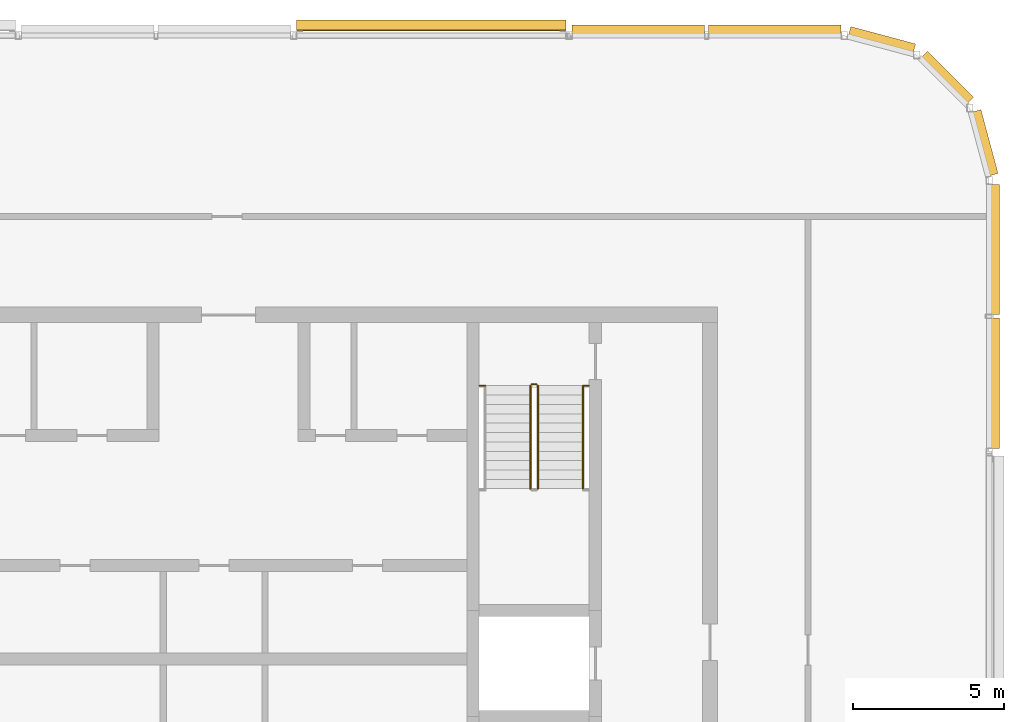
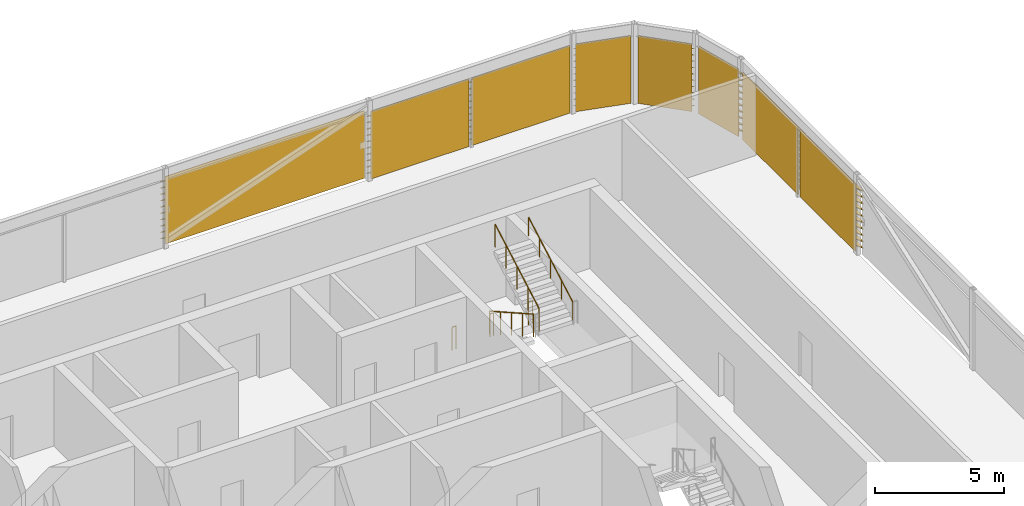
# One storey, part 28 of 28: 8 shading devices, 6 railings.
"""IFC4 building model written with IfcOpenShell, lengths in metres."""

from ifc_helpers import new_model, si_unit, direction, frame, origin, origin_2d, place, context, subcontext, project, spatial, polyline, circle, outline, extrude, material, type_object, element, save


model = new_model("IFC4")

# Units and contexts
model_context = context("Model", 3, precision=1e-05, world=origin(), true_north=direction((0.0, 1.0)))
body_context = subcontext(model_context, "Body", "Model", "MODEL_VIEW")
ifc_project = project(units=[si_unit("LENGTHUNIT", "METRE"), si_unit("AREAUNIT", "SQUARE_METRE"), si_unit("VOLUMEUNIT", "CUBIC_METRE"), si_unit("PLANEANGLEUNIT", "RADIAN"), si_unit("MASSUNIT", "GRAM", prefix="KILO")], contexts=[model_context])

# Site, building, storey
site_placement = place(None, origin())
site = spatial("IfcSite", under=ifc_project, at=site_placement, CompositionType="ELEMENT")
building_placement = place(site_placement, origin())
building = spatial("IfcBuilding", under=site, at=building_placement, Name="Madar Terraces", CompositionType="ELEMENT")
storey_placement = place(building_placement, frame((0.0, 0.0, 305.89990234375)))
storey = spatial("IfcBuildingStorey", under=building, at=storey_placement, Name="L79", CompositionType="ELEMENT", Elevation=305.89990234375)

# Shading devices
ifc_material_1 = material(Name="Aluminium, black anodised", Category="aluminium")
shading_device_type = type_object("IfcShadingDeviceType", Name="Crown louvre bank", PredefinedType="USERDEFINED", material=ifc_material_1)
for number, where, z_axis, x_axis, name in (
    (1, (56.39990234375, 33.126953125, 0.0), (0.0, 1.0, 0.0), (-1.0, 0.0, 0.0), "LOUVRE bank L79 12.1"),
    (2, (56.39990234375, 37.5634765625, 0.0), (0.0, 1.0, 0.0), (-1.0, 0.0, 0.0), "LOUVRE bank L79 12.2"),
):
    element("IfcShadingDevice", number, at=place(storey_placement, frame(where, z_axis=z_axis, x_axis=x_axis)), inside=storey, type_object=shading_device_type, Name=name, ObjectType="LOUVRE", PredefinedType="USERDEFINED", context=body_context, shape_type="SweptSolid", body=[
        extrude(outline(polyline([(0.014892578125, 0.0), (-0.014892578125, 0.0), (-0.014892578125, 0.24951171875), (-0.3427734375, 0.02001953125), (-0.3427734375, 0.06884765625), (-0.014892578125, 0.29833984375), (-0.014892578125, 0.54931640625), (-0.3427734375, 0.320068359375), (-0.3427734375, 0.368896484375), (-0.014892578125, 0.59814453125), (-0.014892578125, 0.849365234375), (-0.3427734375, 0.6201171875), (-0.3427734375, 0.6689453125), (-0.014892578125, 0.898193359375), (-0.014892578125, 1.1494140625), (-0.3427734375, 0.919921875), (-0.3427734375, 0.96875), (-0.014892578125, 1.1982421875), (-0.014892578125, 1.449462890625), (-0.3427734375, 1.219970703125), (-0.3427734375, 1.268798828125), (-0.014892578125, 1.498291015625), (-0.014892578125, 1.74951171875), (-0.3427734375, 1.52001953125), (-0.3427734375, 1.56884765625), (-0.014892578125, 1.79833984375), (-0.014892578125, 2.04931640625), (-0.3427734375, 1.820068359375), (-0.3427734375, 1.868896484375), (-0.014892578125, 2.09814453125), (-0.014892578125, 2.349365234375), (-0.3427734375, 2.1201171875), (-0.3427734375, 2.1689453125), (-0.014892578125, 2.398193359375), (-0.014892578125, 2.6494140625), (-0.3427734375, 2.419921875), (-0.3427734375, 2.46875), (-0.014892578125, 2.6982421875), (-0.014892578125, 2.949462890625), (-0.3427734375, 2.719970703125), (-0.3427734375, 2.768798828125), (-0.014892578125, 2.998291015625), (-0.014892578125, 3.197998046875), (0.014892578125, 3.197998046875), (0.014892578125, 0.0)])), origin(), (0.0, 0.0, 1.0), 4.3095703125),
    ])
shading_device_1_placement = place(storey_placement, frame((56.361328125, 42.143798828125, 0.0), z_axis=(-0.258788169352, 0.965934098893, 0.0), x_axis=(-0.965934098893, -0.258788169352, 0.0)))
element("IfcShadingDevice", 3, at=shading_device_1_placement, inside=storey, type_object=shading_device_type, Name="LOUVRE bank L79 13.1", ObjectType="LOUVRE", PredefinedType="USERDEFINED", context=body_context, shape_type="SweptSolid", body=[
    extrude(outline(polyline([(0.014892578125, 0.0), (-0.014892578125, 0.0), (-0.014892578125, 0.24951171875), (-0.3427734375, 0.02001953125), (-0.3427734375, 0.06884765625), (-0.014892578125, 0.29833984375), (-0.014892578125, 0.54931640625), (-0.3427734375, 0.320068359375), (-0.3427734375, 0.368896484375), (-0.014892578125, 0.59814453125), (-0.014892578125, 0.849365234375), (-0.3427734375, 0.6201171875), (-0.3427734375, 0.6689453125), (-0.014892578125, 0.898193359375), (-0.014892578125, 1.1494140625), (-0.3427734375, 0.919921875), (-0.3427734375, 0.96875), (-0.014892578125, 1.1982421875), (-0.014892578125, 1.449462890625), (-0.3427734375, 1.219970703125), (-0.3427734375, 1.268798828125), (-0.014892578125, 1.498291015625), (-0.014892578125, 1.74951171875), (-0.3427734375, 1.52001953125), (-0.3427734375, 1.56884765625), (-0.014892578125, 1.79833984375), (-0.014892578125, 2.04931640625), (-0.3427734375, 1.820068359375), (-0.3427734375, 1.868896484375), (-0.014892578125, 2.09814453125), (-0.014892578125, 2.349365234375), (-0.3427734375, 2.1201171875), (-0.3427734375, 2.1689453125), (-0.014892578125, 2.398193359375), (-0.014892578125, 2.6494140625), (-0.3427734375, 2.419921875), (-0.3427734375, 2.46875), (-0.014892578125, 2.6982421875), (-0.014892578125, 2.949462890625), (-0.3427734375, 2.719970703125), (-0.3427734375, 2.768798828125), (-0.014892578125, 2.998291015625), (-0.014892578125, 3.197998046875), (0.014892578125, 3.197998046875), (0.014892578125, 0.0)])), origin(), (0.0, 0.0, 1.0), 2.186767578125),
])
shading_device_2_placement = place(storey_placement, frame((55.642578125, 44.514404296875, 0.0), z_axis=(-0.707106781187, 0.707106781187, 0.0), x_axis=(-0.707106781187, -0.707106781187, 0.0)))
element("IfcShadingDevice", 4, at=shading_device_2_placement, inside=storey, type_object=shading_device_type, Name="LOUVRE bank L79 14.1", ObjectType="LOUVRE", PredefinedType="USERDEFINED", context=body_context, shape_type="SweptSolid", body=[
    extrude(outline(polyline([(0.014892578125, 0.0), (-0.014892578125, 0.0), (-0.014892578125, 0.24951171875), (-0.3427734375, 0.02001953125), (-0.3427734375, 0.06884765625), (-0.014892578125, 0.29833984375), (-0.014892578125, 0.54931640625), (-0.3427734375, 0.320068359375), (-0.3427734375, 0.368896484375), (-0.014892578125, 0.59814453125), (-0.014892578125, 0.849365234375), (-0.3427734375, 0.6201171875), (-0.3427734375, 0.6689453125), (-0.014892578125, 0.898193359375), (-0.014892578125, 1.1494140625), (-0.3427734375, 0.919921875), (-0.3427734375, 0.96875), (-0.014892578125, 1.1982421875), (-0.014892578125, 1.449462890625), (-0.3427734375, 1.219970703125), (-0.3427734375, 1.268798828125), (-0.014892578125, 1.498291015625), (-0.014892578125, 1.74951171875), (-0.3427734375, 1.52001953125), (-0.3427734375, 1.56884765625), (-0.014892578125, 1.79833984375), (-0.014892578125, 2.04931640625), (-0.3427734375, 1.820068359375), (-0.3427734375, 1.868896484375), (-0.014892578125, 2.09814453125), (-0.014892578125, 2.349365234375), (-0.3427734375, 2.1201171875), (-0.3427734375, 2.1689453125), (-0.014892578125, 2.398193359375), (-0.014892578125, 2.6494140625), (-0.3427734375, 2.419921875), (-0.3427734375, 2.46875), (-0.014892578125, 2.6982421875), (-0.014892578125, 2.949462890625), (-0.3427734375, 2.719970703125), (-0.3427734375, 2.768798828125), (-0.014892578125, 2.998291015625), (-0.014892578125, 3.197998046875), (0.014892578125, 3.197998046875), (0.014892578125, 0.0)])), origin(), (0.0, 0.0, 1.0), 2.161376953125),
])
shading_device_3_placement = place(storey_placement, frame((53.87353515625, 46.19091796875, 0.0), z_axis=(-0.965935304808, 0.258783668197, 0.0), x_axis=(-0.258783668197, -0.965935304808, 0.0)))
element("IfcShadingDevice", 5, at=shading_device_3_placement, inside=storey, type_object=shading_device_type, Name="LOUVRE bank L79 15.1", ObjectType="LOUVRE", PredefinedType="USERDEFINED", context=body_context, shape_type="SweptSolid", body=[
    extrude(outline(polyline([(0.014892578125, 0.0), (-0.014892578125, 0.0), (-0.014892578125, 0.24951171875), (-0.3427734375, 0.02001953125), (-0.3427734375, 0.06884765625), (-0.014892578125, 0.29833984375), (-0.014892578125, 0.54931640625), (-0.3427734375, 0.320068359375), (-0.3427734375, 0.368896484375), (-0.014892578125, 0.59814453125), (-0.014892578125, 0.849365234375), (-0.3427734375, 0.6201171875), (-0.3427734375, 0.6689453125), (-0.014892578125, 0.898193359375), (-0.014892578125, 1.1494140625), (-0.3427734375, 0.919921875), (-0.3427734375, 0.96875), (-0.014892578125, 1.1982421875), (-0.014892578125, 1.449462890625), (-0.3427734375, 1.219970703125), (-0.3427734375, 1.268798828125), (-0.014892578125, 1.498291015625), (-0.014892578125, 1.74951171875), (-0.3427734375, 1.52001953125), (-0.3427734375, 1.56884765625), (-0.014892578125, 1.79833984375), (-0.014892578125, 2.04931640625), (-0.3427734375, 1.820068359375), (-0.3427734375, 1.868896484375), (-0.014892578125, 2.09814453125), (-0.014892578125, 2.349365234375), (-0.3427734375, 2.1201171875), (-0.3427734375, 2.1689453125), (-0.014892578125, 2.398193359375), (-0.014892578125, 2.6494140625), (-0.3427734375, 2.419921875), (-0.3427734375, 2.46875), (-0.014892578125, 2.6982421875), (-0.014892578125, 2.949462890625), (-0.3427734375, 2.719970703125), (-0.3427734375, 2.768798828125), (-0.014892578125, 2.998291015625), (-0.014892578125, 3.197998046875), (0.014892578125, 3.197998046875), (0.014892578125, 0.0)])), origin(), (0.0, 0.0, 1.0), 2.22265625),
])
shading_device_4_placement = place(storey_placement, frame((51.498291015625, 46.800048828125, 0.0), z_axis=(-1.0, 0.0, 0.0), x_axis=(0.0, -1.0, 0.0)))
element("IfcShadingDevice", 6, at=shading_device_4_placement, inside=storey, type_object=shading_device_type, Name="LOUVRE bank L79 16.1", ObjectType="LOUVRE", PredefinedType="USERDEFINED", context=body_context, shape_type="SweptSolid", body=[
    extrude(outline(polyline([(0.014892578125, 0.0), (-0.014892578125, 0.0), (-0.014892578125, 0.24951171875), (-0.3427734375, 0.02001953125), (-0.3427734375, 0.06884765625), (-0.014892578125, 0.29833984375), (-0.014892578125, 0.54931640625), (-0.3427734375, 0.320068359375), (-0.3427734375, 0.368896484375), (-0.014892578125, 0.59814453125), (-0.014892578125, 0.849365234375), (-0.3427734375, 0.6201171875), (-0.3427734375, 0.6689453125), (-0.014892578125, 0.898193359375), (-0.014892578125, 1.1494140625), (-0.3427734375, 0.919921875), (-0.3427734375, 0.96875), (-0.014892578125, 1.1982421875), (-0.014892578125, 1.449462890625), (-0.3427734375, 1.219970703125), (-0.3427734375, 1.268798828125), (-0.014892578125, 1.498291015625), (-0.014892578125, 1.74951171875), (-0.3427734375, 1.52001953125), (-0.3427734375, 1.56884765625), (-0.014892578125, 1.79833984375), (-0.014892578125, 2.04931640625), (-0.3427734375, 1.820068359375), (-0.3427734375, 1.868896484375), (-0.014892578125, 2.09814453125), (-0.014892578125, 2.349365234375), (-0.3427734375, 2.1201171875), (-0.3427734375, 2.1689453125), (-0.014892578125, 2.398193359375), (-0.014892578125, 2.6494140625), (-0.3427734375, 2.419921875), (-0.3427734375, 2.46875), (-0.014892578125, 2.6982421875), (-0.014892578125, 2.949462890625), (-0.3427734375, 2.719970703125), (-0.3427734375, 2.768798828125), (-0.014892578125, 2.998291015625), (-0.014892578125, 3.197998046875), (0.014892578125, 3.197998046875), (0.014892578125, 0.0)])), origin(), (0.0, 0.0, 1.0), 4.394775390625),
])
shading_device_5_placement = place(storey_placement, frame((46.9765625, 46.800048828125, 0.0), z_axis=(-1.0, 0.0, 0.0), x_axis=(0.0, -1.0, 0.0)))
element("IfcShadingDevice", 7, at=shading_device_5_placement, inside=storey, type_object=shading_device_type, Name="LOUVRE bank L79 16.2", ObjectType="LOUVRE", PredefinedType="USERDEFINED", context=body_context, shape_type="SweptSolid", body=[
    extrude(outline(polyline([(0.014892578125, 0.0), (-0.014892578125, 0.0), (-0.014892578125, 0.24951171875), (-0.3427734375, 0.02001953125), (-0.3427734375, 0.06884765625), (-0.014892578125, 0.29833984375), (-0.014892578125, 0.54931640625), (-0.3427734375, 0.320068359375), (-0.3427734375, 0.368896484375), (-0.014892578125, 0.59814453125), (-0.014892578125, 0.849365234375), (-0.3427734375, 0.6201171875), (-0.3427734375, 0.6689453125), (-0.014892578125, 0.898193359375), (-0.014892578125, 1.1494140625), (-0.3427734375, 0.919921875), (-0.3427734375, 0.96875), (-0.014892578125, 1.1982421875), (-0.014892578125, 1.449462890625), (-0.3427734375, 1.219970703125), (-0.3427734375, 1.268798828125), (-0.014892578125, 1.498291015625), (-0.014892578125, 1.74951171875), (-0.3427734375, 1.52001953125), (-0.3427734375, 1.56884765625), (-0.014892578125, 1.79833984375), (-0.014892578125, 2.04931640625), (-0.3427734375, 1.820068359375), (-0.3427734375, 1.868896484375), (-0.014892578125, 2.09814453125), (-0.014892578125, 2.349365234375), (-0.3427734375, 2.1201171875), (-0.3427734375, 2.1689453125), (-0.014892578125, 2.398193359375), (-0.014892578125, 2.6494140625), (-0.3427734375, 2.419921875), (-0.3427734375, 2.46875), (-0.014892578125, 2.6982421875), (-0.014892578125, 2.949462890625), (-0.3427734375, 2.719970703125), (-0.3427734375, 2.768798828125), (-0.014892578125, 2.998291015625), (-0.014892578125, 3.197998046875), (0.014892578125, 3.197998046875), (0.014892578125, 0.0)])), origin(), (0.0, 0.0, 1.0), 4.39501953125),
])
shading_device_6_placement = place(storey_placement, frame((42.37841796875, 46.800048828125, 0.0), z_axis=(-1.0, 0.0, 0.0), x_axis=(0.0, -1.0, 0.0)))
element("IfcShadingDevice", 8, at=shading_device_6_placement, inside=storey, type_object=shading_device_type, Name="LOUVRE bank L79 17.1", ObjectType="LOUVRE", PredefinedType="USERDEFINED", context=body_context, shape_type="SweptSolid", body=[
    extrude(outline(polyline([(-0.156982421875, 0.0), (-0.18701171875, 0.0), (-0.18701171875, 0.24951171875), (-0.5146484375, 0.02001953125), (-0.5146484375, 0.06884765625), (-0.18701171875, 0.29833984375), (-0.18701171875, 0.54931640625), (-0.5146484375, 0.320068359375), (-0.5146484375, 0.368896484375), (-0.18701171875, 0.59814453125), (-0.18701171875, 0.849365234375), (-0.5146484375, 0.6201171875), (-0.5146484375, 0.6689453125), (-0.18701171875, 0.898193359375), (-0.18701171875, 1.1494140625), (-0.5146484375, 0.919921875), (-0.5146484375, 0.96875), (-0.18701171875, 1.1982421875), (-0.18701171875, 1.449462890625), (-0.5146484375, 1.219970703125), (-0.5146484375, 1.268798828125), (-0.18701171875, 1.498291015625), (-0.18701171875, 1.74951171875), (-0.5146484375, 1.52001953125), (-0.5146484375, 1.56884765625), (-0.18701171875, 1.79833984375), (-0.18701171875, 2.04931640625), (-0.5146484375, 1.820068359375), (-0.5146484375, 1.868896484375), (-0.18701171875, 2.09814453125), (-0.18701171875, 2.349365234375), (-0.5146484375, 2.1201171875), (-0.5146484375, 2.1689453125), (-0.18701171875, 2.398193359375), (-0.18701171875, 2.6494140625), (-0.5146484375, 2.419921875), (-0.5146484375, 2.46875), (-0.18701171875, 2.6982421875), (-0.18701171875, 2.949462890625), (-0.5146484375, 2.719970703125), (-0.5146484375, 2.768798828125), (-0.18701171875, 2.998291015625), (-0.18701171875, 3.197998046875), (-0.156982421875, 3.197998046875), (-0.156982421875, 0.0)])), origin(), (0.0, 0.0, 1.0), 8.916748046875),
])

# Railings
ifc_material_2 = material(Name="Stainless steel railing", Category="steel")
railing_type_1 = type_object("IfcRailingType", Name="Stair guard 1100", PredefinedType="GUARDRAIL", material=ifc_material_2)
railing_1_placement = place(storey_placement, frame((41.199951171875, 35.199951171875, 0.175048828125)))
element("IfcRailing", 9, at=railing_1_placement, inside=storey, type_object=railing_type_1, Name="L79 ST2 stair guard 1", PredefinedType="GUARDRAIL", context=body_context, shape_type="SweptSolid", body=[
    extrude(circle(Radius=0.02392578125, at=origin_2d()), frame((0.0, 0.0, 1.076171875), z_axis=(0.0, -0.87081354652, 0.491613432685), x_axis=(1.0, 0.0, 0.0)), (0.0, 0.0, 1.0), 3.915771484375),
    extrude(circle(Radius=0.02099609375, at=origin_2d()), origin(), (0.0, 0.0, 1.0), 1.052001953125),
    extrude(circle(Radius=0.02099609375, at=origin_2d()), frame((0.0, -0.8525390625, 0.481201171875)), (0.0, 0.0, 1.0), 1.052001953125),
    extrude(circle(Radius=0.02099609375, at=origin_2d()), frame((0.0, -1.705078125, 0.96240234375)), (0.0, 0.0, 1.0), 1.052001953125),
    extrude(circle(Radius=0.02099609375, at=origin_2d()), frame((0.0, -2.557373046875, 1.44384765625)), (0.0, 0.0, 1.0), 1.052001953125),
    extrude(circle(Radius=0.02099609375, at=origin_2d()), frame((0.0, -3.409912109375, 1.925048828125)), (0.0, 0.0, 1.0), 1.052001953125),
])
railing_2_placement = place(storey_placement, frame((41.449951171875, 31.7900390625, 2.275146484375)))
element("IfcRailing", 10, at=railing_2_placement, inside=storey, type_object=railing_type_1, Name="L79 ST2 stair guard 3", PredefinedType="GUARDRAIL", context=body_context, shape_type="SweptSolid", body=[
    extrude(circle(Radius=0.02392578125, at=origin_2d()), frame((0.0, 0.0, 1.076171875), z_axis=(0.0, 0.87081354652, 0.491613432685), x_axis=(-1.0, 0.0, 0.0)), (0.0, 0.0, 1.0), 3.915771484375),
    extrude(circle(Radius=0.02099609375, at=origin_2d()), origin(), (0.0, 0.0, 1.0), 1.052001953125),
    extrude(circle(Radius=0.02099609375, at=origin_2d()), frame((0.0, 0.8525390625, 0.481201171875)), (0.0, 0.0, 1.0), 1.052001953125),
    extrude(circle(Radius=0.02099609375, at=origin_2d()), frame((0.0, 1.705078125, 0.96240234375)), (0.0, 0.0, 1.0), 1.052001953125),
    extrude(circle(Radius=0.02099609375, at=origin_2d()), frame((0.0, 2.557373046875, 1.44384765625)), (0.0, 0.0, 1.0), 1.052001953125),
    extrude(circle(Radius=0.02099609375, at=origin_2d()), frame((0.0, 3.409912109375, 1.925048828125)), (0.0, 0.0, 1.0), 1.052001953125),
])
railing_3_placement = place(storey_placement, frame((41.25, 35.25, 0.0)))
element("IfcRailing", 11, at=railing_3_placement, inside=storey, type_object=railing_type_1, Name="L79 ST2 stair guard 4", PredefinedType="GUARDRAIL", context=body_context, shape_type="SweptSolid", body=[
    extrude(circle(Radius=0.02392578125, at=origin_2d()), frame((0.0, 0.0, 1.076171875), z_axis=(1.0, 0.0, 0.0), x_axis=(0.0, 1.0, 0.0)), (0.0, 0.0, 1.0), 0.14990234375),
    extrude(circle(Radius=0.02099609375, at=origin_2d()), origin(), (0.0, 0.0, 1.0), 1.052001953125),
    extrude(circle(Radius=0.02099609375, at=origin_2d()), frame((0.14990234375, 0.0, 0.0)), (0.0, 0.0, 1.0), 1.052001953125),
])
for number, where, name in (
    (12, (39.52001953125, 35.199951171875, 0.0), "L79 stair guard floor 1"),
    (13, (42.949951171875, 35.199951171875, 0.0), "L79 stair guard floor 2"),
):
    element("IfcRailing", number, at=place(storey_placement, frame(where)), inside=storey, type_object=railing_type_1, Name=name, PredefinedType="GUARDRAIL", context=body_context, shape_type="SweptSolid", body=[
        extrude(circle(Radius=0.02392578125, at=origin_2d()), frame((0.0, 0.0, 1.076171875), z_axis=(1.0, 0.0, 0.0), x_axis=(0.0, 1.0, 0.0)), (0.0, 0.0, 1.0), 0.179931640625),
        extrude(circle(Radius=0.02099609375, at=origin_2d()), origin(), (0.0, 0.0, 1.0), 1.052001953125),
        extrude(circle(Radius=0.02099609375, at=origin_2d()), frame((0.179931640625, 0.0, 0.0)), (0.0, 0.0, 1.0), 1.052001953125),
    ])
ifc_material_3 = material(Name="Stainless steel railing", Category="steel")
railing_type_2 = type_object("IfcRailingType", Name="Stair handrail 900", PredefinedType="HANDRAIL", material=ifc_material_3)
railing_4_placement = place(storey_placement, frame((42.949951171875, 31.7900390625, 2.275146484375)))
element("IfcRailing", 14, at=railing_4_placement, inside=storey, type_object=railing_type_2, Name="L79 ST2 stair handrail 2", PredefinedType="HANDRAIL", context=body_context, shape_type="SweptSolid", body=[
    extrude(circle(Radius=0.02392578125, at=origin_2d()), frame((0.0, 0.0, 0.8759765625), z_axis=(0.0, 0.87081354652, 0.491613432685), x_axis=(-1.0, 0.0, 0.0)), (0.0, 0.0, 1.0), 3.915771484375),
    extrude(circle(Radius=0.02099609375, at=origin_2d()), origin(), (0.0, 0.0, 1.0), 0.851806640625),
    extrude(circle(Radius=0.02099609375, at=origin_2d()), frame((0.0, 0.8525390625, 0.481201171875)), (0.0, 0.0, 1.0), 0.851806640625),
    extrude(circle(Radius=0.02099609375, at=origin_2d()), frame((0.0, 1.705078125, 0.96240234375)), (0.0, 0.0, 1.0), 0.851806640625),
    extrude(circle(Radius=0.02099609375, at=origin_2d()), frame((0.0, 2.557373046875, 1.44384765625)), (0.0, 0.0, 1.0), 0.851806640625),
    extrude(circle(Radius=0.02099609375, at=origin_2d()), frame((0.0, 3.409912109375, 1.925048828125)), (0.0, 0.0, 1.0), 0.851806640625),
])

save(model, "model.ifc")
